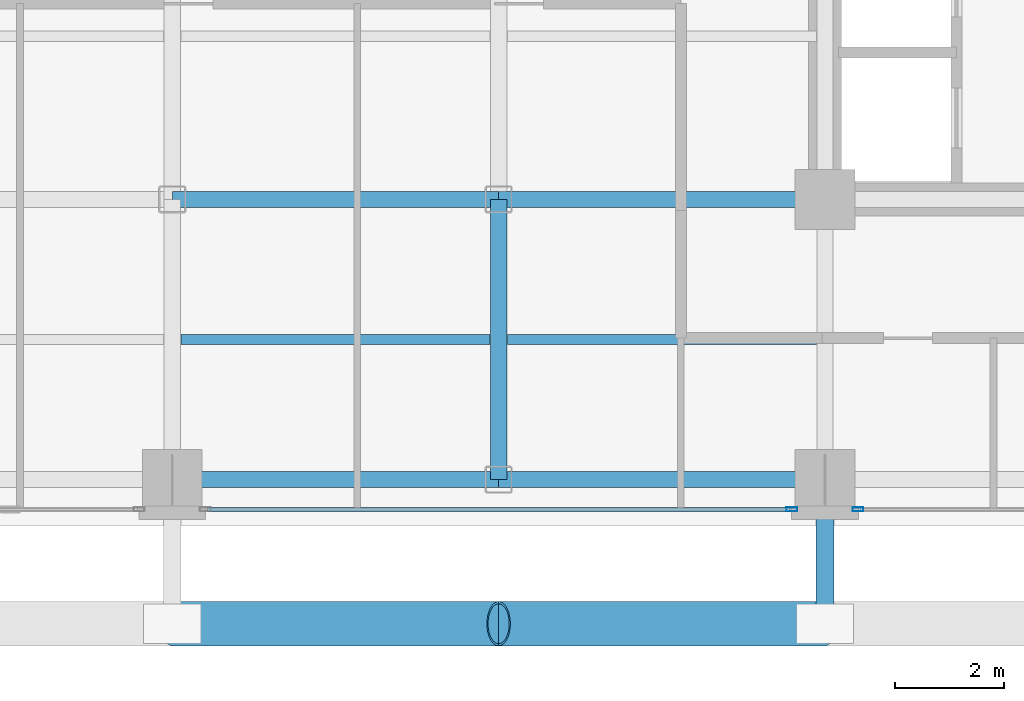
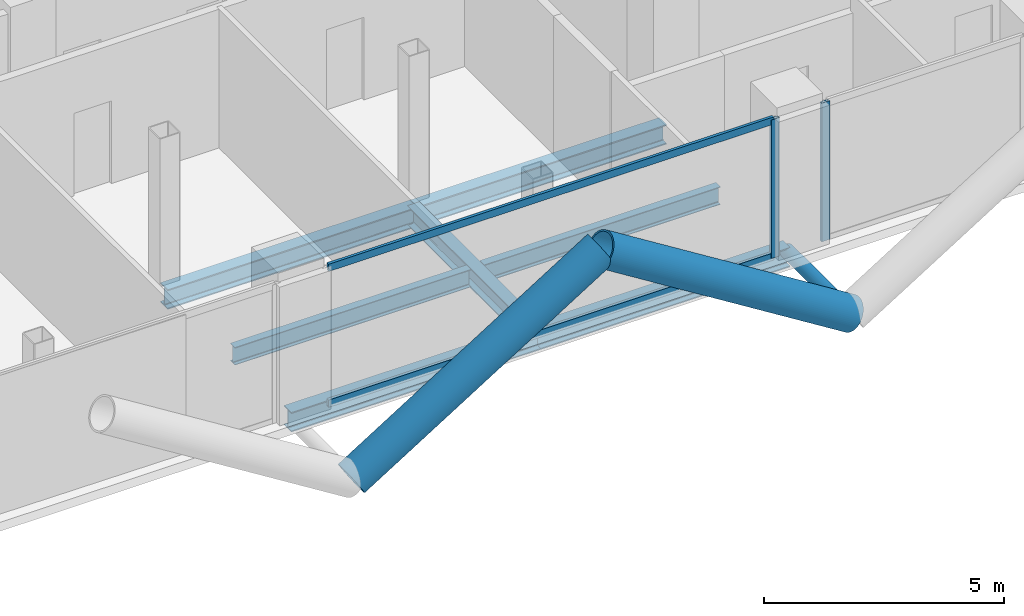
# One storey, part 4 of 28: 7 beams, 7 members, 2 elements without a shape of their own.
"""IFC4 building model written with IfcOpenShell, lengths in metres."""

from ifc_helpers import new_model, si_unit, direction, frame, origin, origin_2d, place, context, subcontext, project, spatial, hollow_rectangle, hollow_circle, i_section, extrude, material, layer, layer_set, material_profile, profile_set, type_object, element, aggregate, save


model = new_model("IFC4")

# Units and contexts
model_context = context("Model", 3, precision=1e-05, world=origin(), true_north=direction((0.0, 1.0)))
body_context = subcontext(model_context, "Body", "Model", "MODEL_VIEW")
ifc_project = project(units=[si_unit("LENGTHUNIT", "METRE"), si_unit("AREAUNIT", "SQUARE_METRE"), si_unit("VOLUMEUNIT", "CUBIC_METRE"), si_unit("PLANEANGLEUNIT", "RADIAN"), si_unit("MASSUNIT", "GRAM", prefix="KILO"), si_unit("THERMODYNAMICTEMPERATUREUNIT", "KELVIN"), si_unit("POWERUNIT", "WATT")], contexts=[model_context])

# Site, building, storey
site_placement = place(None, origin())
site = spatial("IfcSite", under=ifc_project, at=site_placement, CompositionType="ELEMENT")
building_placement = place(site_placement, origin())
building = spatial("IfcBuilding", under=site, at=building_placement, Name="Svarakhadi Broadcast Tower", CompositionType="ELEMENT")
storey_placement = place(building_placement, frame((0.0, 0.0, 153.14990234375)))
storey = spatial("IfcBuildingStorey", under=building, at=storey_placement, Name="L37", CompositionType="ELEMENT", Elevation=153.14990234375)

# Beams
ifc_material_1 = material(Name="Steel S355J2 (IS 2062 E350C)", Category="steel")
ifc_material_profile_1 = material_profile(ifc_material_1, i_section(OverallWidth=0.18994140625, OverallDepth=0.449951171875, WebThickness=0.009521484375, FlangeThickness=0.0146484375, FilletRadius=0.02099609375, at=origin_2d()), Name="NPB 450x190x78")
ifc_profile_set_1 = profile_set([ifc_material_profile_1], Name="Steel S355J2 (IS 2062 E350C)")
beam_type_1 = type_object("IfcBeamType", Name="Beam_NPB450", PredefinedType="BEAM", material=ifc_profile_set_1)
for number, where, z_axis, x_axis, name in (
    (1, (12.159912109375, 3.425048828125, -0.449951171875), (1.0, 0.0, 0.0), (0.0, 1.0, 0.0), "L37 Secondary Composite Beam SB011"),
    (2, (18.159912109375, 3.425048828125, -0.449951171875), (1.0, 0.0, 0.0), (0.0, 1.0, 0.0), "L37 Secondary Composite Beam SB016"),
):
    element("IfcBeam", number, at=place(storey_placement, frame(where, z_axis=z_axis, x_axis=x_axis)), inside=storey, type_object=beam_type_1, Name=name, PredefinedType="BEAM", context=body_context, shape_type="SweptSolid", body=[
        extrude(i_section(OverallWidth=0.18994140625, OverallDepth=0.449951171875, WebThickness=0.009521484375, FlangeThickness=0.0146484375, FilletRadius=0.02099609375, at=origin_2d()), origin(), (0.0, 0.0, 1.0), 5.68017578125),
    ])

# Curtain wall, member
ifc_material_2 = material(Name="Anodised Bronze Aluminium AA 6063-T6", Category="aluminium")
ifc_layer = layer(ifc_material_2, 0.199951171875)
ifc_layer_set = layer_set([ifc_layer], Name="Anodised Bronze Aluminium AA 6063-T6")
curtain_wall_type = type_object("IfcCurtainWallType", Name="CW_Sys_03", PredefinedType="NOTDEFINED", material=ifc_layer_set)
curtain_wall_1_placement = place(storey_placement, origin())
curtain_wall_1 = element("IfcCurtainWall", 3, at=curtain_wall_1_placement, inside=storey, type_object=curtain_wall_type, Name="L37 South Curtain Wall 17 Bay 2", PredefinedType="NOTDEFINED")
ifc_material_profile_2 = material_profile(ifc_material_2, hollow_rectangle(XDim=0.074951171875, YDim=0.199951171875, WallThickness=0.005615234375, at=origin_2d()), Name="ALU MULLION 200x75x6")
ifc_profile_set_2 = profile_set([ifc_material_profile_2], Name="Anodised Bronze Aluminium AA 6063-T6")
member_type_1 = type_object("IfcMemberType", Name="CW_Sys_03_Mul", PredefinedType="MULLION", material=ifc_profile_set_2)
member_1_placement = place(storey_placement, frame((24.607421875, 0.300048828125, 0.0), z_axis=(0.0, 0.0, 1.0), x_axis=(0.0, -1.0, 0.0)))
member_1 = element("IfcMember", 4, at=member_1_placement, type_object=member_type_1, Name="CW-03 mullion 2", PredefinedType="MULLION", context=body_context, shape_type="SweptSolid", body=[
    extrude(hollow_rectangle(XDim=0.074951171875, YDim=0.199951171875, WallThickness=0.005615234375, at=origin_2d()), origin(), (0.0, 0.0, 1.0), 3.525146484375),
])
aggregate(curtain_wall_1, [member_1])

# Curtain wall, members
curtain_wall_2_placement = place(storey_placement, origin())
curtain_wall_2 = element("IfcCurtainWall", 5, at=curtain_wall_2_placement, inside=storey, type_object=curtain_wall_type, Name="L37 South Curtain Wall 17 Bay 3", PredefinedType="NOTDEFINED")
member_2_placement = place(storey_placement, frame((23.392578125, 0.300048828125, 0.0), z_axis=(0.0, 0.0, 1.0), x_axis=(0.0, -1.0, 0.0)))
member_2 = element("IfcMember", 6, at=member_2_placement, type_object=member_type_1, Name="CW-03 mullion 1", PredefinedType="MULLION", context=body_context, shape_type="SweptSolid", body=[
    extrude(hollow_rectangle(XDim=0.074951171875, YDim=0.199951171875, WallThickness=0.005615234375, at=origin_2d()), origin(), (0.0, 0.0, 1.0), 3.525146484375),
])
ifc_material_profile_3 = material_profile(ifc_material_2, hollow_rectangle(XDim=0.070068359375, YDim=0.18505859375, WallThickness=0.0048828125, at=origin_2d()), Name="ALU TRANSOM 185x70x5")
ifc_profile_set_3 = profile_set([ifc_material_profile_3], Name="Anodised Bronze Aluminium AA 6063-T6")
member_type_2 = type_object("IfcMemberType", Name="CW_Sys_03_Trn", PredefinedType="USERDEFINED", material=ifc_profile_set_3)
member_3_placement = place(storey_placement, frame((23.35498046875, 0.300048828125, 0.03515625), z_axis=(-1.0, 0.0, 0.0), x_axis=(0.0, -1.0, 0.0)))
member_3 = element("IfcMember", 7, at=member_3_placement, type_object=member_type_2, Name="CW-03 transom 1.1", ObjectType="TRANSOM", PredefinedType="USERDEFINED", context=body_context, shape_type="SweptSolid", body=[
    extrude(hollow_rectangle(XDim=0.070068359375, YDim=0.18505859375, WallThickness=0.0048828125, at=origin_2d()), origin(), (0.0, 0.0, 1.0), 10.7099609375),
])
member_4_placement = place(storey_placement, frame((23.35498046875, 0.300048828125, 3.489990234375), z_axis=(-1.0, 0.0, 0.0), x_axis=(0.0, -1.0, 0.0)))
member_4 = element("IfcMember", 8, at=member_4_placement, type_object=member_type_2, Name="CW-03 transom 1.2", ObjectType="TRANSOM", PredefinedType="USERDEFINED", context=body_context, shape_type="SweptSolid", body=[
    extrude(hollow_rectangle(XDim=0.070068359375, YDim=0.18505859375, WallThickness=0.0048828125, at=origin_2d()), origin(), (0.0, 0.0, 1.0), 10.7099609375),
])
aggregate(curtain_wall_2, [member_2, member_3, member_4])

# Members
ifc_material_3 = material(Name="Steel S460ML (IS 2062 E450BR)", Category="steel")
ifc_material_profile_4 = material_profile(ifc_material_3, hollow_circle(Radius=0.406494140625, WallThickness=0.0400390625, at=origin_2d()), Name="CHS 813x40")
ifc_profile_set_4 = profile_set([ifc_material_profile_4], Name="Steel S460ML (IS 2062 E450BR)")
member_type_3 = type_object("IfcMemberType", Name="Exo_Brace_CHS813", PredefinedType="BRACE", material=ifc_profile_set_4)
for number, where, z_axis, x_axis, name in (
    (9, (12.0, -1.800048828125, -0.386962890625), (0.847998304005, 0.0, 0.529998940003), (0.0, 1.0, 0.0), "L37 Exposed Bronze Exoskeleton Diagonal S02"),
    (10, (24.0, -1.800048828125, -0.386962890625), (-0.847998304005, 0.0, 0.529998940003), (0.0, -1.0, 0.0), "L37 Exposed Bronze Exoskeleton Diagonal S03"),
):
    element("IfcMember", number, at=place(storey_placement, frame(where, z_axis=z_axis, x_axis=x_axis)), inside=storey, type_object=member_type_3, Name=name, PredefinedType="BRACE", context=body_context, shape_type="SweptSolid", body=[
        extrude(hollow_circle(Radius=0.406494140625, WallThickness=0.0400390625, at=origin_2d()), origin(), (0.0, 0.0, 1.0), 7.075439453125),
    ])
ifc_material_profile_5 = material_profile(ifc_material_3, hollow_circle(Radius=0.161865234375, WallThickness=0.01611328125, at=origin_2d()), Name="CHS 323.9x16")
ifc_profile_set_5 = profile_set([ifc_material_profile_5], Name="Steel S460ML (IS 2062 E450BR)")
member_type_4 = type_object("IfcMemberType", Name="Exo_Radial_Strut_Z2", PredefinedType="STRUT", material=ifc_profile_set_5)
member_5_placement = place(storey_placement, frame((24.0, -1.800048828125, -0.386962890625), z_axis=(0.0, 1.0, 0.0), x_axis=(-1.0, 0.0, 0.0)))
element("IfcMember", 11, at=member_5_placement, inside=storey, type_object=member_type_4, Name="L37 Exoskeleton Radial Tie Strut S02", PredefinedType="STRUT", context=body_context, shape_type="SweptSolid", body=[
    extrude(hollow_circle(Radius=0.161865234375, WallThickness=0.01611328125, at=origin_2d()), origin(), (0.0, 0.0, 1.0), 2.650146484375),
])

# Beams
ifc_material_profile_6 = material_profile(ifc_material_1, i_section(OverallWidth=0.300048828125, OverallDepth=0.5, WebThickness=0.014404296875, FlangeThickness=0.028076171875, FilletRadius=0.027099609375, at=origin_2d()), Name="WPB 500x300x187")
ifc_profile_set_6 = profile_set([ifc_material_profile_6], Name="Steel S355J2 (IS 2062 E350C)")
beam_type_2 = type_object("IfcBeamType", Name="Girder_WPB500", PredefinedType="USERDEFINED", material=ifc_profile_set_6)
for number, where, z_axis, x_axis, name in (
    (12, (12.0, 0.85009765625, -0.474853515625), (1.0, 0.0, 0.0), (0.0, 1.0, 0.0), "L37 Primary E-W Girder G005"),
    (13, (18.0, 0.85009765625, -0.474853515625), (1.0, 0.0, 0.0), (0.0, 1.0, 0.0), "L37 Primary E-W Girder G006"),
    (14, (12.0, 6.0, -0.474853515625), (1.0, 0.0, 0.0), (0.0, 1.0, 0.0), "L37 Primary E-W Girder G012"),
    (15, (18.0, 6.0, -0.474853515625), (1.0, 0.0, 0.0), (0.0, 1.0, 0.0), "L37 Primary E-W Girder G013"),
):
    element("IfcBeam", number, at=place(storey_placement, frame(where, z_axis=z_axis, x_axis=x_axis)), inside=storey, type_object=beam_type_2, Name=name, ObjectType="GIRDER", PredefinedType="USERDEFINED", context=body_context, shape_type="SweptSolid", body=[
        extrude(i_section(OverallWidth=0.300048828125, OverallDepth=0.5, WebThickness=0.014404296875, FlangeThickness=0.028076171875, FilletRadius=0.027099609375, at=origin_2d()), origin(), (0.0, 0.0, 1.0), 6.0),
    ])
beam_placement = place(storey_placement, frame((18.0, 0.85009765625, -0.474853515625), z_axis=(0.0, 1.0, 0.0), x_axis=(-1.0, 0.0, 0.0)))
element("IfcBeam", 16, at=beam_placement, inside=storey, type_object=beam_type_2, Name="L37 Primary N-S Girder G056", ObjectType="GIRDER", PredefinedType="USERDEFINED", context=body_context, shape_type="SweptSolid", body=[
    extrude(i_section(OverallWidth=0.300048828125, OverallDepth=0.5, WebThickness=0.014404296875, FlangeThickness=0.028076171875, FilletRadius=0.027099609375, at=origin_2d()), origin(), (0.0, 0.0, 1.0), 5.14990234375),
])

save(model, "model.ifc")
